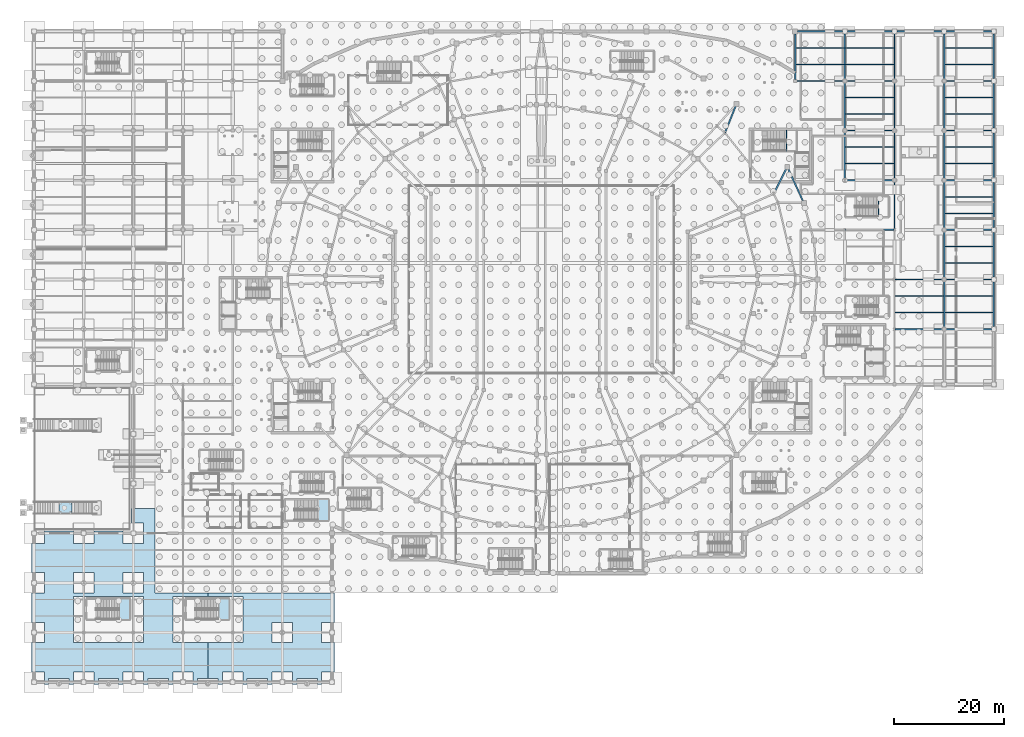
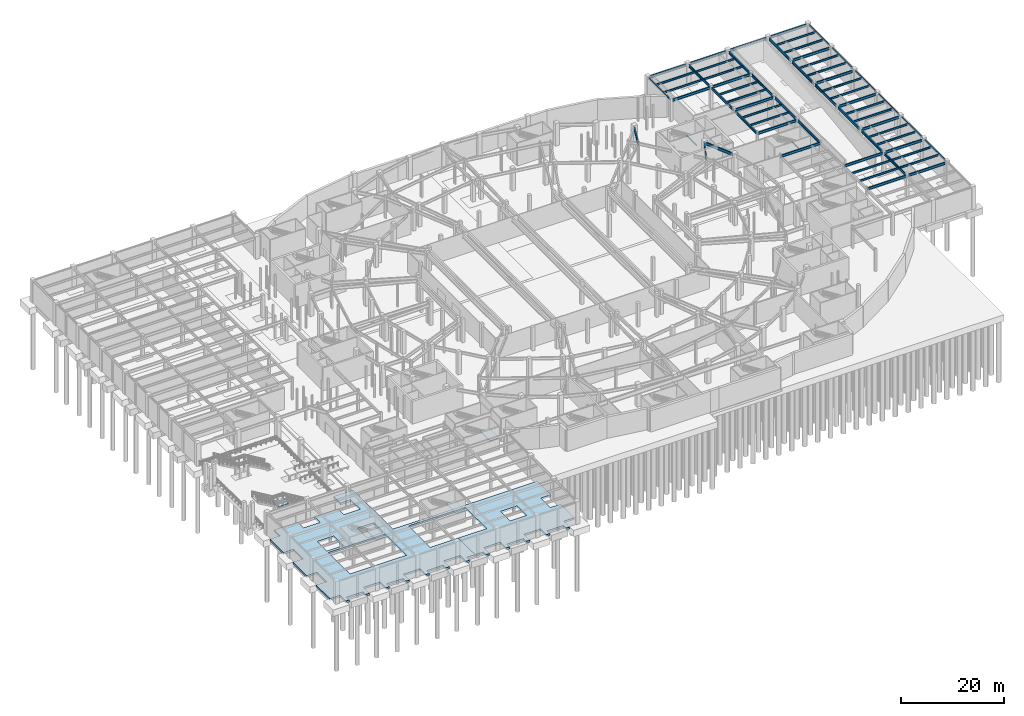
# One storey, part 38 of 56: 64 beams, 6 slabs, 4 elements without a shape of their own.
"""IFC4 building model written with IfcOpenShell, lengths in metres."""

from ifc_helpers import new_model, si_unit, direction, frame, origin, origin_2d, place, context, subcontext, project, spatial, polyline, hollow_rectangle, i_section, outline, extrude, material, layer, layer_set, material_profile, profile_set, type_object, element, aggregate, save


model = new_model("IFC4")

# Units and contexts
model_context = context("Model", 3, precision=1e-05, world=origin(), true_north=direction((0.0, 1.0)))
body_context = subcontext(model_context, "Body", "Model", "MODEL_VIEW")
ifc_project = project(units=[si_unit("LENGTHUNIT", "METRE"), si_unit("AREAUNIT", "SQUARE_METRE"), si_unit("VOLUMEUNIT", "CUBIC_METRE"), si_unit("PLANEANGLEUNIT", "RADIAN"), si_unit("MASSUNIT", "GRAM", prefix="KILO")], contexts=[model_context])

# Site, building, storey
site_placement = place(None, origin())
site = spatial("IfcSite", under=ifc_project, at=site_placement, CompositionType="ELEMENT")
building_placement = place(site_placement, origin())
building = spatial("IfcBuilding", under=site, at=building_placement, Name="Glasvene Arena", CompositionType="ELEMENT")
storey_placement = place(building_placement, frame((0.0, 0.0, -5.39990234375)))
storey = spatial("IfcBuildingStorey", under=building, at=storey_placement, Name="B1", CompositionType="ELEMENT", Elevation=-5.39990234375)

# Beams
ifc_material_1 = material(Name="Steel S355J2", Category="steel")
ifc_material_profile_1 = material_profile(ifc_material_1, i_section(OverallWidth=0.228271484375, OverallDepth=0.607666015625, WebThickness=0.010986328125, FlangeThickness=0.017333984375, FilletRadius=0.0126953125, at=origin_2d()), Name="UKB 610x229x113")
ifc_profile_set_1 = profile_set([ifc_material_profile_1], Name="Steel S355J2")
beam_type_1 = type_object("IfcBeamType", Name="BM-GIRD-610", PredefinedType="BEAM", material=ifc_profile_set_1)
beam_1_placement = place(storey_placement, frame((156.050048828125, 64.0, 4.736083984375), z_axis=(1.0, 0.0, 0.0), x_axis=(0.0, 1.0, 0.0)))
element("IfcBeam", 1, at=beam_1_placement, inside=storey, type_object=beam_type_1, Name="Primary X girder B1-0042", PredefinedType="BEAM", context=body_context, shape_type="SweptSolid", body=[
    extrude(i_section(OverallWidth=0.228271484375, OverallDepth=0.607666015625, WebThickness=0.010986328125, FlangeThickness=0.017333984375, FilletRadius=0.0126953125, at=origin_2d()), origin(), (0.0, 0.0, 1.0), 8.655029296875),
])
beam_2_placement = place(storey_placement, frame((165.294921875, 64.0, 4.736083984375), z_axis=(1.0, 0.0, 0.0), x_axis=(0.0, 1.0, 0.0)))
element("IfcBeam", 2, at=beam_2_placement, inside=storey, type_object=beam_type_1, Name="Primary X girder B1-0043", PredefinedType="BEAM", context=body_context, shape_type="SweptSolid", body=[
    extrude(i_section(OverallWidth=0.228271484375, OverallDepth=0.607666015625, WebThickness=0.010986328125, FlangeThickness=0.017333984375, FilletRadius=0.0126953125, at=origin_2d()), origin(), (0.0, 0.0, 1.0), 8.260009765625),
])
beam_3_placement = place(storey_placement, frame((156.050048828125, 73.0, 4.736083984375), z_axis=(1.0, 0.0, 0.0), x_axis=(0.0, 1.0, 0.0)))
element("IfcBeam", 3, at=beam_3_placement, inside=storey, type_object=beam_type_1, Name="Primary X girder B1-0048", PredefinedType="BEAM", context=body_context, shape_type="SweptSolid", body=[
    extrude(i_section(OverallWidth=0.228271484375, OverallDepth=0.607666015625, WebThickness=0.010986328125, FlangeThickness=0.017333984375, FilletRadius=0.0126953125, at=origin_2d()), origin(), (0.0, 0.0, 1.0), 8.655029296875),
])
beam_4_placement = place(storey_placement, frame((165.294921875, 73.0, 4.736083984375), z_axis=(1.0, 0.0, 0.0), x_axis=(0.0, 1.0, 0.0)))
element("IfcBeam", 4, at=beam_4_placement, inside=storey, type_object=beam_type_1, Name="Primary X girder B1-0049", PredefinedType="BEAM", context=body_context, shape_type="SweptSolid", body=[
    extrude(i_section(OverallWidth=0.228271484375, OverallDepth=0.607666015625, WebThickness=0.010986328125, FlangeThickness=0.017333984375, FilletRadius=0.0126953125, at=origin_2d()), origin(), (0.0, 0.0, 1.0), 8.260009765625),
])
beam_5_placement = place(storey_placement, frame((147.050048828125, 82.0, 4.736083984375), z_axis=(1.0, 0.0, 0.0), x_axis=(0.0, 1.0, 0.0)))
element("IfcBeam", 5, at=beam_5_placement, inside=storey, type_object=beam_type_1, Name="Primary X girder B1-0054", PredefinedType="BEAM", context=body_context, shape_type="SweptSolid", body=[
    extrude(i_section(OverallWidth=0.228271484375, OverallDepth=0.607666015625, WebThickness=0.010986328125, FlangeThickness=0.017333984375, FilletRadius=0.0126953125, at=origin_2d()), origin(), (0.0, 0.0, 1.0), 8.89990234375),
])
beam_6_placement = place(storey_placement, frame((165.294921875, 82.0, 4.736083984375), z_axis=(1.0, 0.0, 0.0), x_axis=(0.0, 1.0, 0.0)))
element("IfcBeam", 6, at=beam_6_placement, inside=storey, type_object=beam_type_1, Name="Primary X girder B1-0055", PredefinedType="BEAM", context=body_context, shape_type="SweptSolid", body=[
    extrude(i_section(OverallWidth=0.228271484375, OverallDepth=0.607666015625, WebThickness=0.010986328125, FlangeThickness=0.017333984375, FilletRadius=0.0126953125, at=origin_2d()), origin(), (0.0, 0.0, 1.0), 8.260009765625),
])
beam_7_placement = place(storey_placement, frame((147.050048828125, 91.0, 4.736083984375), z_axis=(1.0, 0.0, 0.0), x_axis=(0.0, 1.0, 0.0)))
element("IfcBeam", 7, at=beam_7_placement, inside=storey, type_object=beam_type_1, Name="Primary X girder B1-0060", PredefinedType="BEAM", context=body_context, shape_type="SweptSolid", body=[
    extrude(i_section(OverallWidth=0.228271484375, OverallDepth=0.607666015625, WebThickness=0.010986328125, FlangeThickness=0.017333984375, FilletRadius=0.0126953125, at=origin_2d()), origin(), (0.0, 0.0, 1.0), 8.655029296875),
])
beam_8_placement = place(storey_placement, frame((165.294921875, 91.0, 4.736083984375), z_axis=(1.0, 0.0, 0.0), x_axis=(0.0, 1.0, 0.0)))
element("IfcBeam", 8, at=beam_8_placement, inside=storey, type_object=beam_type_1, Name="Primary X girder B1-0061", PredefinedType="BEAM", context=body_context, shape_type="SweptSolid", body=[
    extrude(i_section(OverallWidth=0.228271484375, OverallDepth=0.607666015625, WebThickness=0.010986328125, FlangeThickness=0.017333984375, FilletRadius=0.0126953125, at=origin_2d()), origin(), (0.0, 0.0, 1.0), 8.260009765625),
])
beam_9_placement = place(storey_placement, frame((147.294921875, 100.0, 4.736083984375), z_axis=(1.0, 0.0, 0.0), x_axis=(0.0, 1.0, 0.0)))
element("IfcBeam", 9, at=beam_9_placement, inside=storey, type_object=beam_type_1, Name="Primary X girder B1-0066", PredefinedType="BEAM", context=body_context, shape_type="SweptSolid", body=[
    extrude(i_section(OverallWidth=0.228271484375, OverallDepth=0.607666015625, WebThickness=0.010986328125, FlangeThickness=0.017333984375, FilletRadius=0.0126953125, at=origin_2d()), origin(), (0.0, 0.0, 1.0), 8.41015625),
])
beam_10_placement = place(storey_placement, frame((165.294921875, 100.0, 4.736083984375), z_axis=(1.0, 0.0, 0.0), x_axis=(0.0, 1.0, 0.0)))
element("IfcBeam", 10, at=beam_10_placement, inside=storey, type_object=beam_type_1, Name="Primary X girder B1-0067", PredefinedType="BEAM", context=body_context, shape_type="SweptSolid", body=[
    extrude(i_section(OverallWidth=0.228271484375, OverallDepth=0.607666015625, WebThickness=0.010986328125, FlangeThickness=0.017333984375, FilletRadius=0.0126953125, at=origin_2d()), origin(), (0.0, 0.0, 1.0), 8.260009765625),
])
for number, where, z_axis, x_axis, name in (
    (11, (138.294921875, 109.0, 4.736083984375), (1.0, 0.0, 0.0), (0.0, 1.0, 0.0), "Primary X girder B1-0073"),
    (12, (147.294921875, 109.0, 4.736083984375), (1.0, 0.0, 0.0), (0.0, 1.0, 0.0), "Primary X girder B1-0074"),
):
    element("IfcBeam", number, at=place(storey_placement, frame(where, z_axis=z_axis, x_axis=x_axis)), inside=storey, type_object=beam_type_1, Name=name, PredefinedType="BEAM", context=body_context, shape_type="SweptSolid", body=[
        extrude(i_section(OverallWidth=0.228271484375, OverallDepth=0.607666015625, WebThickness=0.010986328125, FlangeThickness=0.017333984375, FilletRadius=0.0126953125, at=origin_2d()), origin(), (0.0, 0.0, 1.0), 8.41015625),
    ])
beam_11_placement = place(storey_placement, frame((165.294921875, 109.0, 4.736083984375), z_axis=(1.0, 0.0, 0.0), x_axis=(0.0, 1.0, 0.0)))
element("IfcBeam", 13, at=beam_11_placement, inside=storey, type_object=beam_type_1, Name="Primary X girder B1-0075", PredefinedType="BEAM", context=body_context, shape_type="SweptSolid", body=[
    extrude(i_section(OverallWidth=0.228271484375, OverallDepth=0.607666015625, WebThickness=0.010986328125, FlangeThickness=0.017333984375, FilletRadius=0.0126953125, at=origin_2d()), origin(), (0.0, 0.0, 1.0), 8.260009765625),
])
for number, where, z_axis, x_axis, name in (
    (14, (138.445068359375, 118.0, 4.736083984375), (1.0, 0.0, 0.0), (0.0, 1.0, 0.0), "Primary X girder B1-0081"),
    (15, (147.445068359375, 118.0, 4.736083984375), (1.0, 0.0, 0.0), (0.0, 1.0, 0.0), "Primary X girder B1-0082"),
    (16, (156.445068359375, 118.0, 4.736083984375), (1.0, 0.0, 0.0), (0.0, 1.0, 0.0), "Primary X girder B1-0083"),
    (17, (165.445068359375, 118.0, 4.736083984375), (1.0, 0.0, 0.0), (0.0, 1.0, 0.0), "Primary X girder B1-0084"),
):
    element("IfcBeam", number, at=place(storey_placement, frame(where, z_axis=z_axis, x_axis=x_axis)), inside=storey, type_object=beam_type_1, Name=name, PredefinedType="BEAM", context=body_context, shape_type="SweptSolid", body=[
        extrude(i_section(OverallWidth=0.228271484375, OverallDepth=0.607666015625, WebThickness=0.010986328125, FlangeThickness=0.017333984375, FilletRadius=0.0126953125, at=origin_2d()), origin(), (0.0, 0.0, 1.0), 8.10986328125),
    ])
beam_12_placement = place(storey_placement, frame((147.0, 91.185546875, 4.736083984375), z_axis=(0.0, 1.0, 0.0), x_axis=(-1.0, 0.0, 0.0)))
element("IfcBeam", 18, at=beam_12_placement, inside=storey, type_object=beam_type_1, Name="Primary Y girder B1-0146", PredefinedType="BEAM", context=body_context, shape_type="SweptSolid", body=[
    extrude(i_section(OverallWidth=0.228271484375, OverallDepth=0.607666015625, WebThickness=0.010986328125, FlangeThickness=0.017333984375, FilletRadius=0.0126953125, at=origin_2d()), origin(), (0.0, 0.0, 1.0), 8.51953125),
])
beam_13_placement = place(storey_placement, frame((147.0, 100.294921875, 4.736083984375), z_axis=(0.0, 1.0, 0.0), x_axis=(-1.0, 0.0, 0.0)))
element("IfcBeam", 19, at=beam_13_placement, inside=storey, type_object=beam_type_1, Name="Primary Y girder B1-0147", PredefinedType="BEAM", context=body_context, shape_type="SweptSolid", body=[
    extrude(i_section(OverallWidth=0.228271484375, OverallDepth=0.607666015625, WebThickness=0.010986328125, FlangeThickness=0.017333984375, FilletRadius=0.0126953125, at=origin_2d()), origin(), (0.0, 0.0, 1.0), 8.41015625),
])
beam_14_placement = place(storey_placement, frame((147.0, 109.294921875, 4.736083984375), z_axis=(0.0, 1.0, 0.0), x_axis=(-1.0, 0.0, 0.0)))
element("IfcBeam", 20, at=beam_14_placement, inside=storey, type_object=beam_type_1, Name="Primary Y girder B1-0148", PredefinedType="BEAM", context=body_context, shape_type="SweptSolid", body=[
    extrude(i_section(OverallWidth=0.228271484375, OverallDepth=0.607666015625, WebThickness=0.010986328125, FlangeThickness=0.017333984375, FilletRadius=0.0126953125, at=origin_2d()), origin(), (0.0, 0.0, 1.0), 8.260009765625),
])
beam_15_placement = place(storey_placement, frame((156.0, 82.185546875, 4.736083984375), z_axis=(0.0, 1.0, 0.0), x_axis=(-1.0, 0.0, 0.0)))
element("IfcBeam", 21, at=beam_15_placement, inside=storey, type_object=beam_type_1, Name="Primary Y girder B1-0152", PredefinedType="BEAM", context=body_context, shape_type="SweptSolid", body=[
    extrude(i_section(OverallWidth=0.228271484375, OverallDepth=0.607666015625, WebThickness=0.010986328125, FlangeThickness=0.017333984375, FilletRadius=0.0126953125, at=origin_2d()), origin(), (0.0, 0.0, 1.0), 8.51953125),
])
for number, where, z_axis, x_axis, name in (
    (22, (156.0, 91.294921875, 4.736083984375), (0.0, 1.0, 0.0), (-1.0, 0.0, 0.0), "Primary Y girder B1-0153"),
    (23, (156.0, 100.294921875, 4.736083984375), (0.0, 1.0, 0.0), (-1.0, 0.0, 0.0), "Primary Y girder B1-0154"),
):
    element("IfcBeam", number, at=place(storey_placement, frame(where, z_axis=z_axis, x_axis=x_axis)), inside=storey, type_object=beam_type_1, Name=name, PredefinedType="BEAM", context=body_context, shape_type="SweptSolid", body=[
        extrude(i_section(OverallWidth=0.228271484375, OverallDepth=0.607666015625, WebThickness=0.010986328125, FlangeThickness=0.017333984375, FilletRadius=0.0126953125, at=origin_2d()), origin(), (0.0, 0.0, 1.0), 8.41015625),
    ])
beam_16_placement = place(storey_placement, frame((156.0, 109.294921875, 4.736083984375), z_axis=(0.0, 1.0, 0.0), x_axis=(-1.0, 0.0, 0.0)))
element("IfcBeam", 24, at=beam_16_placement, inside=storey, type_object=beam_type_1, Name="Primary Y girder B1-0155", PredefinedType="BEAM", context=body_context, shape_type="SweptSolid", body=[
    extrude(i_section(OverallWidth=0.228271484375, OverallDepth=0.607666015625, WebThickness=0.010986328125, FlangeThickness=0.017333984375, FilletRadius=0.0126953125, at=origin_2d()), origin(), (0.0, 0.0, 1.0), 8.260009765625),
])
for number, where, z_axis, x_axis, name in (
    (25, (165.0, 64.294921875, 4.736083984375), (0.0, 1.0, 0.0), (-1.0, 0.0, 0.0), "Primary Y girder B1-0157"),
    (26, (165.0, 73.294921875, 4.736083984375), (0.0, 1.0, 0.0), (-1.0, 0.0, 0.0), "Primary Y girder B1-0158"),
    (27, (165.0, 82.294921875, 4.736083984375), (0.0, 1.0, 0.0), (-1.0, 0.0, 0.0), "Primary Y girder B1-0159"),
    (28, (165.0, 91.294921875, 4.736083984375), (0.0, 1.0, 0.0), (-1.0, 0.0, 0.0), "Primary Y girder B1-0160"),
    (29, (165.0, 100.294921875, 4.736083984375), (0.0, 1.0, 0.0), (-1.0, 0.0, 0.0), "Primary Y girder B1-0161"),
):
    element("IfcBeam", number, at=place(storey_placement, frame(where, z_axis=z_axis, x_axis=x_axis)), inside=storey, type_object=beam_type_1, Name=name, PredefinedType="BEAM", context=body_context, shape_type="SweptSolid", body=[
        extrude(i_section(OverallWidth=0.228271484375, OverallDepth=0.607666015625, WebThickness=0.010986328125, FlangeThickness=0.017333984375, FilletRadius=0.0126953125, at=origin_2d()), origin(), (0.0, 0.0, 1.0), 8.41015625),
    ])
beam_17_placement = place(storey_placement, frame((165.0, 109.294921875, 4.736083984375), z_axis=(0.0, 1.0, 0.0), x_axis=(-1.0, 0.0, 0.0)))
element("IfcBeam", 30, at=beam_17_placement, inside=storey, type_object=beam_type_1, Name="Primary Y girder B1-0162", PredefinedType="BEAM", context=body_context, shape_type="SweptSolid", body=[
    extrude(i_section(OverallWidth=0.228271484375, OverallDepth=0.607666015625, WebThickness=0.010986328125, FlangeThickness=0.017333984375, FilletRadius=0.0126953125, at=origin_2d()), origin(), (0.0, 0.0, 1.0), 8.260009765625),
])
ifc_material_profile_2 = material_profile(ifc_material_1, i_section(OverallWidth=0.253662109375, OverallDepth=0.68359375, WebThickness=0.012451171875, FlangeThickness=0.01904296875, FilletRadius=0.01513671875, at=origin_2d()), Name="UKB 686x254x140")
ifc_profile_set_2 = profile_set([ifc_material_profile_2], Name="Steel S355J2")
beam_type_2 = type_object("IfcBeamType", Name="BM-GIRD-686", PredefinedType="BEAM", material=ifc_profile_set_2)
beam_18_placement = place(storey_placement, frame((139.377197265625, 87.287353515625, 4.6982421875), z_axis=(-0.418091163951, 0.908405074087, 0.0), x_axis=(-0.908405074087, -0.418091163951, 0.0)))
element("IfcBeam", 31, at=beam_18_placement, inside=storey, type_object=beam_type_2, Name="Bowl ring chord beam B1-03", PredefinedType="BEAM", context=body_context, shape_type="SweptSolid", body=[
    extrude(i_section(OverallWidth=0.253662109375, OverallDepth=0.68359375, WebThickness=0.012451171875, FlangeThickness=0.01904296875, FilletRadius=0.01513671875, at=origin_2d()), origin(), (0.0, 0.0, 1.0), 6.341552734375),
])
ifc_material_profile_3 = material_profile(ifc_material_1, i_section(OverallWidth=0.2666015625, OverallDepth=0.76220703125, WebThickness=0.014404296875, FlangeThickness=0.021484375, FilletRadius=0.0166015625, at=origin_2d()), Name="UKB 762x267x173")
ifc_profile_set_3 = profile_set([ifc_material_profile_3], Name="Steel S355J2")
beam_type_3 = type_object("IfcBeamType", Name="BM-GIRD-762", PredefinedType="BEAM", material=ifc_profile_set_3)
beam_19_placement = place(storey_placement, frame((134.088134765625, 88.53662109375, 4.65869140625), z_axis=(0.449494152887, 0.893283273391, 0.0), x_axis=(-0.893283273391, 0.449494152887, 0.0)))
element("IfcBeam", 32, at=beam_19_placement, inside=storey, type_object=beam_type_3, Name="Radial concourse girder B1-03", PredefinedType="BEAM", context=body_context, shape_type="SweptSolid", body=[
    extrude(i_section(OverallWidth=0.2666015625, OverallDepth=0.76220703125, WebThickness=0.014404296875, FlangeThickness=0.021484375, FilletRadius=0.0166015625, at=origin_2d()), origin(), (0.0, 0.0, 1.0), 5.4775390625),
])
beam_20_placement = place(storey_placement, frame((125.256591796875, 99.59912109375, 4.65869140625), z_axis=(0.372976095384, 0.927840952034, 0.0), x_axis=(-0.927840952034, 0.372976095384, 0.0)))
element("IfcBeam", 33, at=beam_20_placement, inside=storey, type_object=beam_type_3, Name="Radial concourse girder B1-04", PredefinedType="BEAM", context=body_context, shape_type="SweptSolid", body=[
    extrude(i_section(OverallWidth=0.2666015625, OverallDepth=0.76220703125, WebThickness=0.014404296875, FlangeThickness=0.021484375, FilletRadius=0.0166015625, at=origin_2d()), origin(), (0.0, 0.0, 1.0), 5.626708984375),
])
ifc_material_profile_4 = material_profile(ifc_material_1, i_section(OverallWidth=0.1904296875, OverallDepth=0.45703125, WebThickness=0.009033203125, FlangeThickness=0.014404296875, FilletRadius=0.01025390625, at=origin_2d()), Name="UKB 457x191x74")
ifc_profile_set_4 = profile_set([ifc_material_profile_4], Name="Steel S355J2")
beam_type_4 = type_object("IfcBeamType", Name="BM-JOIST-457", PredefinedType="JOIST", material=ifc_profile_set_4)
for number, where, z_axis, x_axis, name in (
    (34, (138.095947265625, 112.0, 4.8115234375), (1.0, 0.0, 0.0), (0.0, 1.0, 0.0), "Composite floor joist B1-0252"),
    (35, (138.095947265625, 115.0, 4.8115234375), (1.0, 0.0, 0.0), (0.0, 1.0, 0.0), "Composite floor joist B1-0253"),
):
    element("IfcBeam", number, at=place(storey_placement, frame(where, z_axis=z_axis, x_axis=x_axis)), inside=storey, type_object=beam_type_4, Name=name, PredefinedType="JOIST", context=body_context, shape_type="SweptSolid", body=[
        extrude(i_section(OverallWidth=0.1904296875, OverallDepth=0.45703125, WebThickness=0.009033203125, FlangeThickness=0.014404296875, FilletRadius=0.01025390625, at=origin_2d()), origin(), (0.0, 0.0, 1.0), 8.7939453125),
    ])
for number, where, z_axis, x_axis, name in (
    (36, (147.110107421875, 94.0, 4.8115234375), (1.0, 0.0, 0.0), (0.0, 1.0, 0.0), "Composite floor joist B1-0256"),
    (37, (147.110107421875, 97.0, 4.8115234375), (1.0, 0.0, 0.0), (0.0, 1.0, 0.0), "Composite floor joist B1-0257"),
    (38, (147.110107421875, 103.0, 4.8115234375), (1.0, 0.0, 0.0), (0.0, 1.0, 0.0), "Composite floor joist B1-0258"),
    (39, (147.110107421875, 106.0, 4.8115234375), (1.0, 0.0, 0.0), (0.0, 1.0, 0.0), "Composite floor joist B1-0259"),
    (40, (147.110107421875, 112.0, 4.8115234375), (1.0, 0.0, 0.0), (0.0, 1.0, 0.0), "Composite floor joist B1-0260"),
    (41, (147.110107421875, 115.0, 4.8115234375), (1.0, 0.0, 0.0), (0.0, 1.0, 0.0), "Composite floor joist B1-0261"),
    (42, (156.110107421875, 67.0, 4.8115234375), (1.0, 0.0, 0.0), (0.0, 1.0, 0.0), "Composite floor joist B1-0264"),
    (43, (156.110107421875, 70.0, 4.8115234375), (1.0, 0.0, 0.0), (0.0, 1.0, 0.0), "Composite floor joist B1-0265"),
):
    element("IfcBeam", number, at=place(storey_placement, frame(where, z_axis=z_axis, x_axis=x_axis)), inside=storey, type_object=beam_type_4, Name=name, PredefinedType="JOIST", context=body_context, shape_type="SweptSolid", body=[
        extrude(i_section(OverallWidth=0.1904296875, OverallDepth=0.45703125, WebThickness=0.009033203125, FlangeThickness=0.014404296875, FilletRadius=0.01025390625, at=origin_2d()), origin(), (0.0, 0.0, 1.0), 8.77978515625),
    ])
for number, where, z_axis, x_axis, name in (
    (44, (165.110107421875, 67.0, 4.8115234375), (1.0, 0.0, 0.0), (0.0, 1.0, 0.0), "Composite floor joist B1-0268"),
    (45, (165.110107421875, 70.0, 4.8115234375), (1.0, 0.0, 0.0), (0.0, 1.0, 0.0), "Composite floor joist B1-0269"),
    (46, (165.110107421875, 76.0, 4.8115234375), (1.0, 0.0, 0.0), (0.0, 1.0, 0.0), "Composite floor joist B1-0270"),
    (47, (165.110107421875, 79.0, 4.8115234375), (1.0, 0.0, 0.0), (0.0, 1.0, 0.0), "Composite floor joist B1-0271"),
    (48, (165.110107421875, 85.0, 4.8115234375), (1.0, 0.0, 0.0), (0.0, 1.0, 0.0), "Composite floor joist B1-0272"),
    (49, (165.110107421875, 88.0, 4.8115234375), (1.0, 0.0, 0.0), (0.0, 1.0, 0.0), "Composite floor joist B1-0273"),
    (50, (165.110107421875, 94.0, 4.8115234375), (1.0, 0.0, 0.0), (0.0, 1.0, 0.0), "Composite floor joist B1-0274"),
    (51, (165.110107421875, 97.0, 4.8115234375), (1.0, 0.0, 0.0), (0.0, 1.0, 0.0), "Composite floor joist B1-0275"),
    (52, (165.110107421875, 103.0, 4.8115234375), (1.0, 0.0, 0.0), (0.0, 1.0, 0.0), "Composite floor joist B1-0276"),
    (53, (165.110107421875, 106.0, 4.8115234375), (1.0, 0.0, 0.0), (0.0, 1.0, 0.0), "Composite floor joist B1-0277"),
    (54, (165.110107421875, 112.0, 4.8115234375), (1.0, 0.0, 0.0), (0.0, 1.0, 0.0), "Composite floor joist B1-0278"),
    (55, (165.110107421875, 115.0, 4.8115234375), (1.0, 0.0, 0.0), (0.0, 1.0, 0.0), "Composite floor joist B1-0279"),
):
    element("IfcBeam", number, at=place(storey_placement, frame(where, z_axis=z_axis, x_axis=x_axis)), inside=storey, type_object=beam_type_4, Name=name, PredefinedType="JOIST", context=body_context, shape_type="SweptSolid", body=[
        extrude(i_section(OverallWidth=0.1904296875, OverallDepth=0.45703125, WebThickness=0.009033203125, FlangeThickness=0.014404296875, FilletRadius=0.01025390625, at=origin_2d()), origin(), (0.0, 0.0, 1.0), 8.7939453125),
    ])
ifc_material_profile_5 = material_profile(ifc_material_1, hollow_rectangle(XDim=0.199951171875, YDim=0.199951171875, WallThickness=0.010009765625, at=origin_2d()), Name="SHS 200x200x10.0")
ifc_profile_set_5 = profile_set([ifc_material_profile_5], Name="Steel S355J2")
beam_type_5 = type_object("IfcBeamType", Name="BM-LINTEL-200", PredefinedType="LINTEL", material=ifc_profile_set_5)
beam_21_placement = place(storey_placement, frame((136.419921875, 96.22998046875, 2.3798828125), z_axis=(0.0, 1.0, 0.0), x_axis=(-1.0, 0.0, 0.0)))
element("IfcBeam", 56, at=beam_21_placement, inside=storey, type_object=beam_type_5, Name="Stair half-landing support beam ST-02-B1", PredefinedType="LINTEL", context=body_context, shape_type="SweptSolid", body=[
    extrude(hollow_rectangle(XDim=0.199951171875, YDim=0.199951171875, WallThickness=0.010009765625, at=origin_2d()), origin(), (0.0, 0.0, 1.0), 3.89013671875),
])
beam_22_placement = place(storey_placement, frame((153.1201171875, 84.280029296875, 2.3798828125), z_axis=(0.0, 1.0, 0.0), x_axis=(-1.0, 0.0, 0.0)))
element("IfcBeam", 57, at=beam_22_placement, inside=storey, type_object=beam_type_5, Name="Stair half-landing support beam ST-B05-B1", PredefinedType="LINTEL", context=body_context, shape_type="SweptSolid", body=[
    extrude(hollow_rectangle(XDim=0.199951171875, YDim=0.199951171875, WallThickness=0.010009765625, at=origin_2d()), origin(), (0.0, 0.0, 1.0), 3.7900390625),
])
ifc_material_profile_6 = material_profile(ifc_material_1, hollow_rectangle(XDim=0.199951171875, YDim=0.300048828125, WallThickness=0.012451171875, at=origin_2d()), Name="RHS 300x200x12.5")
ifc_profile_set_6 = profile_set([ifc_material_profile_6], Name="Steel S355J2")
beam_type_6 = type_object("IfcBeamType", Name="BM-SPAND-300", PredefinedType="SPANDREL", material=ifc_profile_set_6)
beam_23_placement = place(storey_placement, frame((138.0, 109.294921875, 4.889892578125), z_axis=(0.0, 1.0, 0.0), x_axis=(-1.0, 0.0, 0.0)))
element("IfcBeam", 58, at=beam_23_placement, inside=storey, type_object=beam_type_6, Name="Primary Y girder B1-0143", PredefinedType="SPANDREL", context=body_context, shape_type="SweptSolid", body=[
    extrude(hollow_rectangle(XDim=0.199951171875, YDim=0.300048828125, WallThickness=0.012451171875, at=origin_2d()), origin(), (0.0, 0.0, 1.0), 8.260009765625),
])
for number, where, z_axis, x_axis, name in (
    (59, (174.0, 64.445068359375, 4.889892578125), (0.0, 1.0, 0.0), (-1.0, 0.0, 0.0), "Primary Y girder B1-0164"),
    (60, (174.0, 73.445068359375, 4.889892578125), (0.0, 1.0, 0.0), (-1.0, 0.0, 0.0), "Primary Y girder B1-0165"),
    (61, (174.0, 82.445068359375, 4.889892578125), (0.0, 1.0, 0.0), (-1.0, 0.0, 0.0), "Primary Y girder B1-0166"),
    (62, (174.0, 91.445068359375, 4.889892578125), (0.0, 1.0, 0.0), (-1.0, 0.0, 0.0), "Primary Y girder B1-0167"),
    (63, (174.0, 100.445068359375, 4.889892578125), (0.0, 1.0, 0.0), (-1.0, 0.0, 0.0), "Primary Y girder B1-0168"),
    (64, (174.0, 109.445068359375, 4.889892578125), (0.0, 1.0, 0.0), (-1.0, 0.0, 0.0), "Primary Y girder B1-0169"),
):
    element("IfcBeam", number, at=place(storey_placement, frame(where, z_axis=z_axis, x_axis=x_axis)), inside=storey, type_object=beam_type_6, Name=name, PredefinedType="SPANDREL", context=body_context, shape_type="SweptSolid", body=[
        extrude(hollow_rectangle(XDim=0.199951171875, YDim=0.300048828125, WallThickness=0.012451171875, at=origin_2d()), origin(), (0.0, 0.0, 1.0), 8.10986328125),
    ])

# Slabs
ifc_material_2 = material(Name="Concrete C40/50", Category="concrete")
ifc_layer_1 = layer(ifc_material_2, 0.449951171875)
ifc_layer_set_1 = layer_set([ifc_layer_1], Name="Concrete C40/50")
slab_type_1 = type_object("IfcSlabType", Name="SL-B1-450", PredefinedType="BASESLAB", material=ifc_layer_set_1)
slab_1_placement = place(storey_placement, frame((14.011962890625, 10.0107421875, -0.4501953125)))
element("IfcSlab", 65, at=slab_1_placement, inside=storey, type_object=slab_type_1, Name="Structural floor slab B1 sector 1-1 (1)", PredefinedType="BASESLAB", context=body_context, shape_type="SweptSolid", body=[
    extrude(outline(polyline([(7.93798828125, 6.13916015625), (17.488037109375, 6.13916015625), (17.488037109375, 5.4892578125), (11.137939453125, 5.4892578125), (11.137939453125, -2.86083984375), (17.488037109375, -2.86083984375), (17.488037109375, -9.370849609375), (15.637939453125, -9.370849609375), (15.637939453125, -10.460693359375), (14.838134765625, -10.460693359375), (14.838134765625, -8.16064453125), (11.137939453125, -8.16064453125), (11.137939453125, -10.460693359375), (10.338134765625, -10.460693359375), (10.338134765625, -9.370849609375), (6.637939453125, -9.370849609375), (6.637939453125, -10.460693359375), (5.838134765625, -10.460693359375), (5.838134765625, -8.16064453125), (2.137939453125, -8.16064453125), (2.137939453125, -10.460693359375), (1.338134765625, -10.460693359375), (1.338134765625, -9.370849609375), (-2.362060546875, -9.370849609375), (-2.362060546875, -10.460693359375), (-3.161865234375, -10.460693359375), (-3.161865234375, -8.16064453125), (-6.862060546875, -8.16064453125), (-6.862060546875, -10.460693359375), (-7.661865234375, -10.460693359375), (-7.661865234375, -9.370849609375), (-11.362060546875, -9.370849609375), (-11.362060546875, -10.460693359375), (-12.161865234375, -10.460693359375), (-12.161865234375, -8.16064453125), (-14.4619140625, -8.16064453125), (-14.4619140625, -2.86083984375), (-12.161865234375, -2.86083984375), (-12.161865234375, 0.83935546875), (-14.4619140625, 0.83935546875), (-14.4619140625, 6.13916015625), (-12.161865234375, 6.13916015625), (-12.161865234375, 9.83935546875), (-14.4619140625, 9.83935546875), (-14.4619140625, 15.13916015625), (-12.161865234375, 15.13916015625), (-12.161865234375, 17.439208984375), (-6.862060546875, 17.439208984375), (-6.862060546875, 15.13916015625), (-3.161865234375, 15.13916015625), (-3.161865234375, 17.439208984375), (2.137939453125, 17.439208984375), (2.137939453125, 15.13916015625), (5.838134765625, 15.13916015625), (5.838134765625, 18.83935546875), (3.5380859375, 18.83935546875), (3.5380859375, 21.4892578125), (7.93798828125, 21.4892578125), (7.93798828125, 6.13916015625)]), holes=[polyline([(5.838134765625, -2.86083984375), (5.838134765625, 5.4892578125), (-6.862060546875, 5.4892578125), (-6.862060546875, -2.86083984375), (5.838134765625, -2.86083984375)]), polyline([(-6.862060546875, 6.13916015625), (-3.161865234375, 6.13916015625), (-3.161865234375, 9.83935546875), (-6.862060546875, 9.83935546875), (-6.862060546875, 6.13916015625)]), polyline([(2.137939453125, 6.13916015625), (5.838134765625, 6.13916015625), (5.838134765625, 9.83935546875), (2.137939453125, 9.83935546875), (2.137939453125, 6.13916015625)])]), origin(), (0.0, 0.0, 1.0), 0.4501953125),
])
slab_2_placement = place(storey_placement, frame((43.08740234375, 3.876220703125, -0.4501953125)))
element("IfcSlab", 66, at=slab_2_placement, inside=storey, type_object=slab_type_1, Name="Structural floor slab B1 sector 1-2 (2)", PredefinedType="BASESLAB", context=body_context, shape_type="SweptSolid", body=[
    extrude(outline(polyline([(11.362548828125, 12.273681640625), (11.362548828125, 6.973876953125), (9.0625, 6.973876953125), (9.0625, 3.273681640625), (11.362548828125, 3.273681640625), (11.362548828125, -2.026123046875), (9.0625, -2.026123046875), (9.0625, -4.326171875), (8.2626953125, -4.326171875), (8.2626953125, -3.236328125), (4.5625, -3.236328125), (4.5625, -4.326171875), (3.7626953125, -4.326171875), (3.7626953125, -2.026123046875), (0.0625, -2.026123046875), (0.0625, -4.326171875), (-0.7373046875, -4.326171875), (-0.7373046875, -3.236328125), (-4.4375, -3.236328125), (-4.4375, -4.326171875), (-5.2373046875, -4.326171875), (-5.2373046875, -2.026123046875), (-8.9375, -2.026123046875), (-8.9375, -4.326171875), (-9.7373046875, -4.326171875), (-9.7373046875, -3.236328125), (-11.58740234375, -3.236328125), (-11.58740234375, 3.273681640625), (-5.2373046875, 3.273681640625), (-5.2373046875, 11.623779296875), (-11.58740234375, 11.623779296875), (-11.58740234375, 12.273681640625), (11.362548828125, 12.273681640625)]), holes=[polyline([(0.0625, 3.273681640625), (3.7626953125, 3.273681640625), (3.7626953125, 6.973876953125), (0.0625, 6.973876953125), (0.0625, 3.273681640625)])]), origin(), (0.0, 0.0, 1.0), 0.4501953125),
])

# Stair, slab
stair_type_1 = type_object("IfcStairType", Name="ST-HT-540-170", PredefinedType="HALF_TURN_STAIR", material=ifc_material_2)
stair_1_placement = place(storey_placement, origin())
stair_1 = element("IfcStair", 67, at=stair_1_placement, inside=storey, type_object=stair_type_1, Name="Protected escape stair ST-16 (B1 to L00)", PredefinedType="HALF_TURN_STAIR")
ifc_layer_2 = layer(ifc_material_2, 0.219970703125)
ifc_layer_set_2 = layer_set([ifc_layer_2], Name="Concrete C40/50")
slab_type_2 = type_object("IfcSlabType", Name="SL-LAND-220", PredefinedType="LANDING", material=ifc_layer_set_2)
slab_3_placement = place(storey_placement, frame((52.39990234375, 31.22509765625, 2.47998046875)))
slab_3 = element("IfcSlab", 68, at=slab_3_placement, type_object=slab_type_2, Name="Protected escape stair ST-16 (B1 to L00) landing 1", PredefinedType="LANDING", context=body_context, shape_type="SweptSolid", body=[
    extrude(outline(polyline([(-1.0, -1.925048828125), (1.0, -1.925048828125), (1.0, 1.9248046875), (-1.0, 1.9248046875), (-1.0, -1.925048828125)])), origin(), (0.0, 0.0, 1.0), 0.219970703125),
])
aggregate(stair_1, [slab_3])

stair_2_placement = place(storey_placement, origin())
stair_2 = element("IfcStair", 69, at=stair_2_placement, inside=storey, type_object=stair_type_1, Name="Protected escape stair ST-B02 (B1 to L00)", PredefinedType="HALF_TURN_STAIR")
slab_4_placement = place(storey_placement, frame((16.39990234375, 13.22509765625, 2.47998046875)))
slab_4 = element("IfcSlab", 70, at=slab_4_placement, type_object=slab_type_2, Name="Protected escape stair ST-B02 (B1 to L00) landing 1", PredefinedType="LANDING", context=body_context, shape_type="SweptSolid", body=[
    extrude(outline(polyline([(-1.0, -1.925048828125), (1.0, -1.925048828125), (1.0, 1.9248046875), (-1.0, 1.9248046875), (-1.0, -1.925048828125)])), origin(), (0.0, 0.0, 1.0), 0.219970703125),
])
aggregate(stair_2, [slab_4])

stair_3_placement = place(storey_placement, origin())
stair_3 = element("IfcStair", 71, at=stair_3_placement, inside=storey, type_object=stair_type_1, Name="Protected escape stair ST-B03 (B1 to L00)", PredefinedType="HALF_TURN_STAIR")
slab_5_placement = place(storey_placement, frame((34.39990234375, 13.22509765625, 2.47998046875)))
slab_5 = element("IfcSlab", 72, at=slab_5_placement, type_object=slab_type_2, Name="Protected escape stair ST-B03 (B1 to L00) landing 1", PredefinedType="LANDING", context=body_context, shape_type="SweptSolid", body=[
    extrude(outline(polyline([(-1.0, -1.925048828125), (1.0, -1.925048828125), (1.0, 1.9248046875), (-1.0, 1.9248046875), (-1.0, -1.925048828125)])), origin(), (0.0, 0.0, 1.0), 0.219970703125),
])
aggregate(stair_3, [slab_5])

ifc_material_3 = material(Name="Precast concrete C50/60", Category="concrete")
stair_type_2 = type_object("IfcStairType", Name="ST-SR-MET-PLZ", PredefinedType="STRAIGHT_RUN_STAIR", material=ifc_material_3)
stair_4_placement = place(storey_placement, origin())
stair_4 = element("IfcStair", 73, at=stair_4_placement, inside=storey, type_object=stair_type_2, Name="Metro forecourt plaza grand stair 1", PredefinedType="STRAIGHT_RUN_STAIR")
slab_6_placement = place(storey_placement, frame((5.675048828125, 31.60009765625, 2.47998046875)))
slab_6 = element("IfcSlab", 74, at=slab_6_placement, type_object=slab_type_2, Name="Metro forecourt plaza grand stair 1 landing 1", PredefinedType="LANDING", context=body_context, shape_type="SweptSolid", body=[
    extrude(outline(polyline([(-1.175048828125, -1.10009765625), (1.175048828125, -1.10009765625), (1.175048828125, 1.099853515625), (-1.175048828125, 1.099853515625), (-1.175048828125, -1.10009765625)])), origin(), (0.0, 0.0, 1.0), 0.219970703125),
])
aggregate(stair_4, [slab_6])

save(model, "model.ifc")
